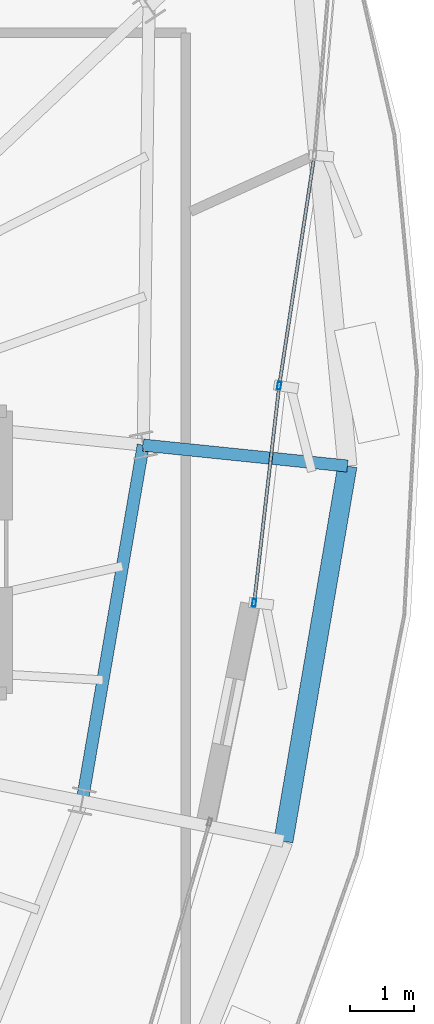
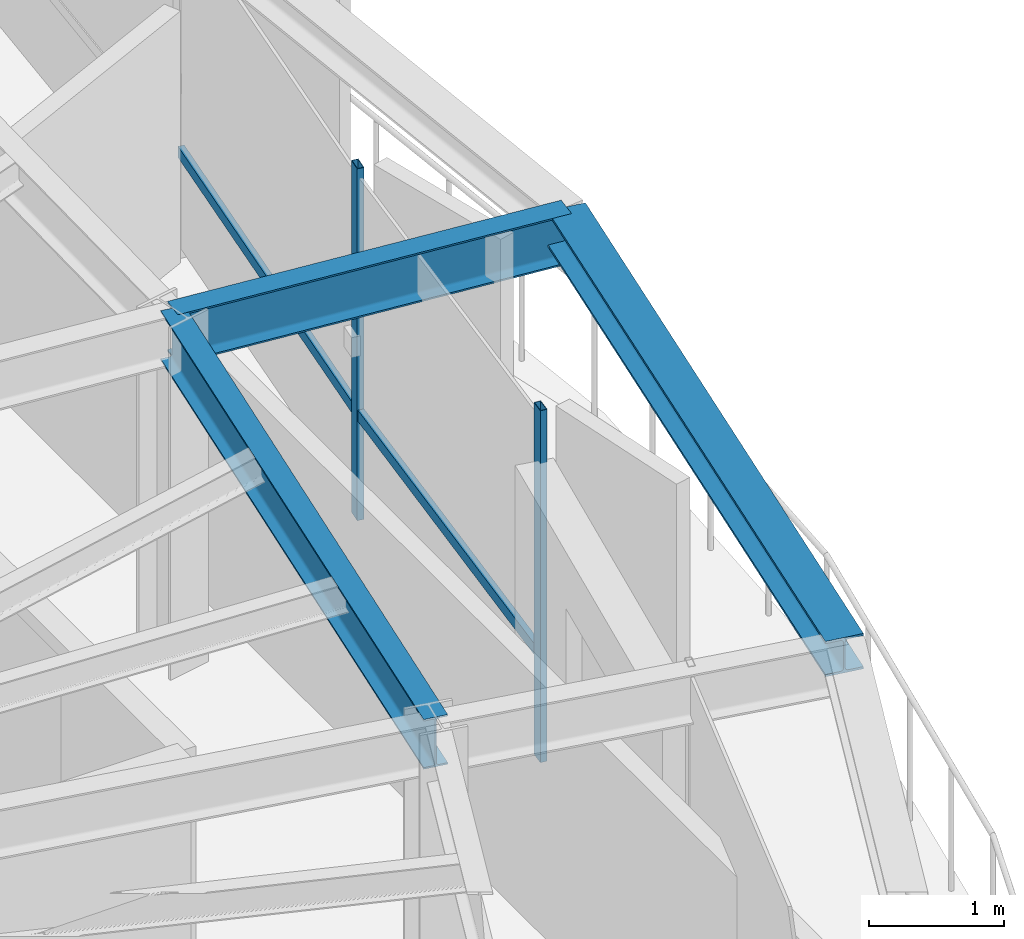
# One storey, part 15 of 31: 4 members, 3 beams, 1 element without a shape of its own.
"""IFC4 building model written with IfcOpenShell, lengths in metres."""

from ifc_helpers import new_model, si_unit, direction, frame, origin, origin_2d, place, context, subcontext, project, spatial, hollow_rectangle, i_section, extrude, source, transform, mapped, material, layer, layer_set, material_profile, profile_set, type_object, element, aggregate, save


model = new_model("IFC4")

# Units and contexts
model_context = context("Model", 3, precision=1e-05, world=origin(), true_north=direction((0.0, 1.0)))
body_context = subcontext(model_context, "Body", "Model", "MODEL_VIEW")
ifc_project = project(units=[si_unit("LENGTHUNIT", "METRE"), si_unit("AREAUNIT", "SQUARE_METRE"), si_unit("VOLUMEUNIT", "CUBIC_METRE"), si_unit("PLANEANGLEUNIT", "RADIAN"), si_unit("MASSUNIT", "GRAM", prefix="KILO"), si_unit("THERMODYNAMICTEMPERATUREUNIT", "KELVIN")], contexts=[model_context])

# Site, building, storey
site_placement = place(None, origin())
site = spatial("IfcSite", under=ifc_project, at=site_placement, CompositionType="ELEMENT")
building_placement = place(site_placement, origin())
building = spatial("IfcBuilding", under=site, at=building_placement, Name="Kethvar Cultural Tower", CompositionType="ELEMENT")
storey_placement = place(building_placement, frame((0.0, 0.0, 300.85009765625)))
storey = spatial("IfcBuildingStorey", under=building, at=storey_placement, Name="L80", CompositionType="ELEMENT", Elevation=300.85009765625)

# Beams
ifc_material_1 = material(Name="Steel S355J2", Category="steel")
ifc_material_profile_1 = material_profile(ifc_material_1, i_section(OverallWidth=0.18994140625, OverallDepth=0.449951171875, WebThickness=0.009521484375, FlangeThickness=0.0146484375, FilletRadius=0.02099609375, at=origin_2d()), Name="Steel S355J2 — IPE450")
ifc_profile_set_1 = profile_set([ifc_material_profile_1], Name="Steel S355J2 — IPE450")
beam_type_1 = type_object("IfcBeamType", Name="BM-IPE450", PredefinedType="BEAM", material=ifc_profile_set_1)
shared_shape_1 = source(origin(), body_context, "Body", "SweptSolid", [
    extrude(i_section(OverallWidth=0.18994140625, OverallDepth=0.449951171875, WebThickness=0.009521484375, FlangeThickness=0.0146484375, FilletRadius=0.02099609375, at=origin_2d()), origin(), (0.0, 0.0, 1.0), 3.199951171875),
])
beam_1_placement = place(storey_placement, frame((61.237060546875, 30.671630859375, 2.9580078125), z_axis=(0.994784019447, -0.10200369921, 0.0), x_axis=(0.10200369921, 0.994784019447, 0.0)))
element("IfcBeam", 1, at=beam_1_placement, inside=storey, type_object=beam_type_1, Name="L80 Perimeter Cantilever Beam RC-01", PredefinedType="BEAM", context=body_context, shape_type="MappedRepresentation", body=[
    mapped(shared_shape_1, transform((0.0, 0.0, 0.0), scale=1.0)),
])
shared_shape_2 = source(origin(), body_context, "Body", "SweptSolid", [
    extrude(i_section(OverallWidth=0.18994140625, OverallDepth=0.449951171875, WebThickness=0.009521484375, FlangeThickness=0.0146484375, FilletRadius=0.02099609375, at=origin_2d()), origin(), (0.0, 0.0, 1.0), 5.635009765625),
])
beam_2_placement = place(storey_placement, frame((60.28369140625, 25.117919921875, 2.9580078125), z_axis=(0.169188687614, 0.985583678834, 0.0), x_axis=(-0.985583678834, 0.169188687614, 0.0)))
element("IfcBeam", 2, at=beam_2_placement, inside=storey, type_object=beam_type_1, Name="L80 Column Ring Tie Beam CR-16", PredefinedType="BEAM", context=body_context, shape_type="MappedRepresentation", body=[
    mapped(shared_shape_2, transform((0.0, 0.0, 0.0), scale=1.0)),
])
ifc_material_profile_2 = material_profile(ifc_material_1, i_section(OverallWidth=0.300048828125, OverallDepth=0.320068359375, WebThickness=0.011474609375, FlangeThickness=0.0205078125, FilletRadius=0.027099609375, at=origin_2d()), Name="Steel S355J2 — HEB320")
ifc_profile_set_2 = profile_set([ifc_material_profile_2], Name="Steel S355J2 — HEB320")
beam_type_2 = type_object("IfcBeamType", Name="BM-SP320", PredefinedType="SPANDREL", material=ifc_profile_set_2)
shared_shape_3 = source(origin(), body_context, "Body", "SweptSolid", [
    extrude(i_section(OverallWidth=0.300048828125, OverallDepth=0.320068359375, WebThickness=0.011474609375, FlangeThickness=0.0205078125, FilletRadius=0.027099609375, at=origin_2d()), origin(), (0.0, 0.0, 1.0), 5.93603515625),
])
beam_3_placement = place(storey_placement, frame((63.422119140625, 24.49365234375, 3.02294921875), z_axis=(0.16817267321, 0.985757552335, 0.0), x_axis=(-0.985757552335, 0.16817267321, 0.0)))
element("IfcBeam", 3, at=beam_3_placement, inside=storey, type_object=beam_type_2, Name="L80 Perimeter Spandrel Beam SP-16", PredefinedType="SPANDREL", context=body_context, shape_type="MappedRepresentation", body=[
    mapped(shared_shape_3, transform((0.0, 0.0, 0.0), scale=1.0)),
])

# Curtain wall, members
ifc_material_2 = material(Name="Aluminium 6063-T6", Category="aluminium")
ifc_layer = layer(ifc_material_2, 0.179931640625, Name="Aluminium 6063-T6", Category="aluminium")
ifc_layer_set = layer_set([ifc_layer], Name="Aluminium 6063-T6 (180 mm)")
curtain_wall_type = type_object("IfcCurtainWallType", Name="CW-SYS-05-Z56", PredefinedType="NOTDEFINED", material=ifc_layer_set)
curtain_wall_placement = place(storey_placement, origin())
curtain_wall = element("IfcCurtainWall", 4, at=curtain_wall_placement, inside=storey, type_object=curtain_wall_type, Name="L80 Curtain Wall Run 06", PredefinedType="NOTDEFINED")
ifc_material_profile_3 = material_profile(ifc_material_2, hollow_rectangle(XDim=0.054931640625, YDim=0.1201171875, WallThickness=0.00390625, at=origin_2d()), Name="Aluminium 6063-T6 — RHS120x55x4")
ifc_profile_set_3 = profile_set([ifc_material_profile_3], Name="Aluminium 6063-T6 — RHS120x55x4")
member_type_1 = type_object("IfcMemberType", Name="CW-SYS-05-Z56-MUL", PredefinedType="MULLION", material=ifc_profile_set_3)
shared_shape_4 = source(origin(), body_context, "Body", "SweptSolid", [
    extrude(hollow_rectangle(XDim=0.054931640625, YDim=0.1201171875, WallThickness=0.00390625, at=origin_2d()), origin(), (0.0, 0.0, 1.0), 3.184814453125),
])
member_1_placement = place(storey_placement, frame((62.966796875, 28.2119140625, 0.0), z_axis=(0.0, 0.0, 1.0), x_axis=(-0.993420823212, 0.114521037411, 0.0)))
member_1 = element("IfcMember", 5, at=member_1_placement, type_object=member_type_1, Name="CW-L80-R06 Mullion 1", PredefinedType="MULLION", context=body_context, shape_type="MappedRepresentation", body=[
    mapped(shared_shape_4, transform((0.0, 0.0, 0.0), scale=1.0)),
])
member_2_placement = place(storey_placement, frame((63.35693359375, 31.597900390625, 0.0), z_axis=(0.0, 0.0, 1.0), x_axis=(-0.988536088255, 0.150984774786, 0.0)))
member_2 = element("IfcMember", 6, at=member_2_placement, type_object=member_type_1, Name="CW-L80-R06 Mullion 2", PredefinedType="MULLION", context=body_context, shape_type="MappedRepresentation", body=[
    mapped(shared_shape_4, transform((0.0, 0.0, 0.0), scale=1.0)),
])
ifc_material_profile_4 = material_profile(ifc_material_2, hollow_rectangle(XDim=0.050048828125, YDim=0.10009765625, WallThickness=0.00390625, at=origin_2d()), Name="Aluminium 6063-T6 — RHS100x50x4")
ifc_profile_set_4 = profile_set([ifc_material_profile_4], Name="Aluminium 6063-T6 — RHS100x50x4")
member_type_2 = type_object("IfcMemberType", Name="CW-SYS-05-Z56-TRN", PredefinedType="USERDEFINED", material=ifc_profile_set_4)
shared_shape_5 = source(origin(), body_context, "Body", "SweptSolid", [
    extrude(hollow_rectangle(XDim=0.050048828125, YDim=0.10009765625, WallThickness=0.00390625, at=origin_2d()), origin(), (0.0, 0.0, 1.0), 3.361328125),
])
member_3_placement = place(storey_placement, frame((62.967041015625, 28.2158203125, 0.949951171875), z_axis=(0.11454415696, 0.993418157729, 0.0), x_axis=(-0.993418157729, 0.11454415696, 0.0)))
member_3 = element("IfcMember", 7, at=member_3_placement, type_object=member_type_2, Name="CW-L80-R06 Transom 1", ObjectType="TRANSOM", PredefinedType="USERDEFINED", context=body_context, shape_type="MappedRepresentation", body=[
    mapped(shared_shape_5, transform((0.0, 0.0, 0.0), scale=1.0)),
])
shared_shape_6 = source(origin(), body_context, "Body", "SweptSolid", [
    extrude(hollow_rectangle(XDim=0.050048828125, YDim=0.10009765625, WallThickness=0.00390625, at=origin_2d()), origin(), (0.0, 0.0, 1.0), 3.562744140625),
])
member_4_placement = place(storey_placement, frame((63.363037109375, 31.63720703125, 0.949951171875), z_axis=(0.150960296555, 0.988539826645, 0.0), x_axis=(-0.988539826645, 0.150960296555, 0.0)))
member_4 = element("IfcMember", 8, at=member_4_placement, type_object=member_type_2, Name="CW-L80-R06 Transom 2", ObjectType="TRANSOM", PredefinedType="USERDEFINED", context=body_context, shape_type="MappedRepresentation", body=[
    mapped(shared_shape_6, transform((0.0, 0.0, 0.0), scale=1.0)),
])
aggregate(curtain_wall, [member_1, member_2, member_3, member_4])

save(model, "model.ifc")
